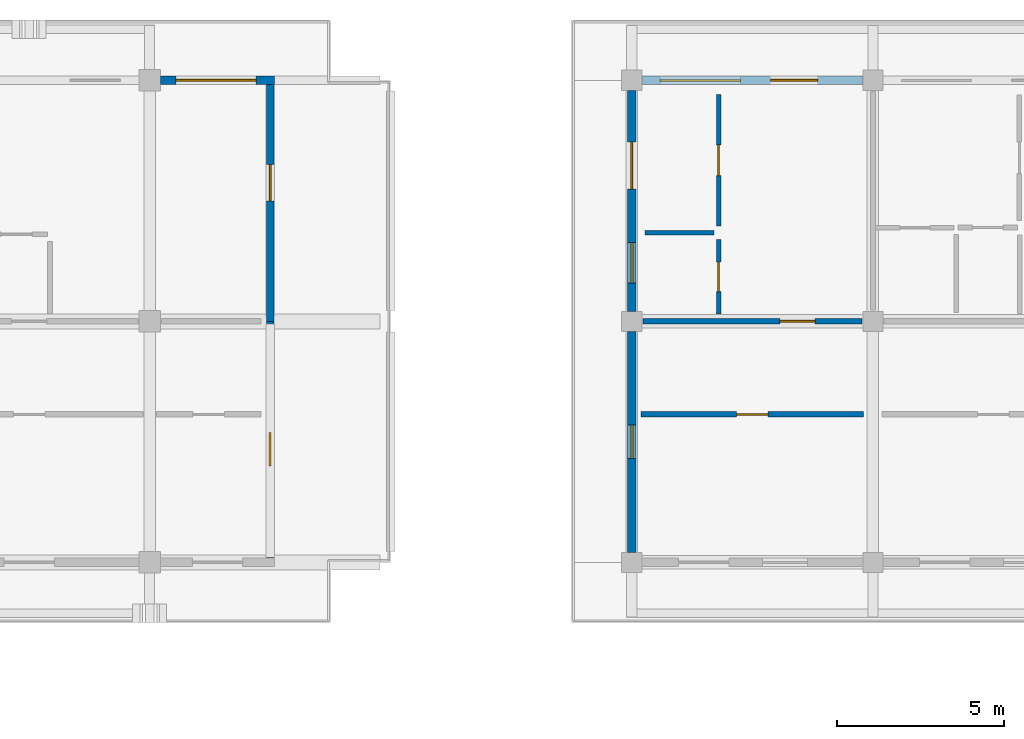
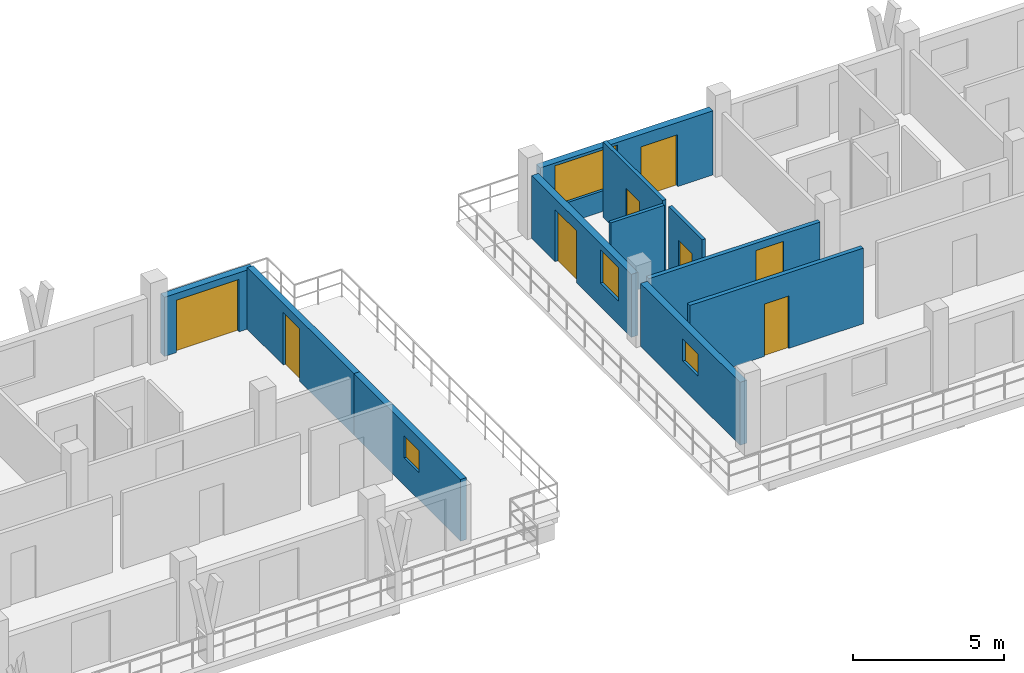
# One storey, part 48 of 75: 11 walls, 8 doors, 4 windows, 12 openings.
"""IFC4 building model written with IfcOpenShell, lengths in metres."""

from ifc_helpers import new_model, si_unit, direction, frame, frame_2d, origin, place, context, subcontext, project, spatial, rectangle, extrude, material, layer, layer_set, type_object, element, fill, save


model = new_model("IFC4")

# Units and contexts
model_context = context("Model", 3, precision=1e-05, world=origin(), true_north=direction((0.0, 1.0)))
body_context = subcontext(model_context, "Body", "Model", "MODEL_VIEW")
ifc_project = project(units=[si_unit("LENGTHUNIT", "METRE"), si_unit("AREAUNIT", "SQUARE_METRE"), si_unit("VOLUMEUNIT", "CUBIC_METRE"), si_unit("PLANEANGLEUNIT", "RADIAN"), si_unit("MASSUNIT", "GRAM", prefix="KILO")], contexts=[model_context])

# Site, building, storey
site_placement = place(None, origin())
site = spatial("IfcSite", under=ifc_project, at=site_placement, CompositionType="ELEMENT")
building_placement = place(site_placement, origin())
building = spatial("IfcBuilding", under=site, at=building_placement, Name="Suanplinth Sawtooth Commons", CompositionType="ELEMENT")
storey_placement = place(building_placement, frame((0.0, 0.0, 18.60009765625)))
storey = spatial("IfcBuildingStorey", under=building, at=storey_placement, Name="L05", CompositionType="ELEMENT", Elevation=18.60009765625)

# Wall, opening, door
ifc_material_1 = material(Name="Precast concrete C40/50", Category="concrete")
ifc_layer_1 = layer(ifc_material_1, 0.260009765625, Name="Insulated precast courtyard facade wall 260mm")
ifc_layer_set_1 = layer_set([ifc_layer_1], Name="Precast concrete C40/50")
wall_type_1 = type_object("IfcWallType", Name="W-EX02", PredefinedType="ELEMENTEDWALL", material=ifc_layer_set_1)
wall_1_placement = place(storey_placement, frame((108.324951171875, 122.39990234375, 0.0), z_axis=(0.0, 0.0, 1.0), x_axis=(1.0, 0.0, 0.0)))
wall_1 = element("IfcWall", 1, at=wall_1_placement, inside=storey, type_object=wall_type_1, Name="Facade Wall W-L05-A-N-15", PredefinedType="ELEMENTEDWALL", context=body_context, shape_type="SweptSolid", body=[
    extrude(rectangle(XDim=3.405029296875, YDim=0.260009765625, at=frame_2d((1.70263671875, 0.0))), origin(), (0.0, 0.0, 1.0), 2.39501953125),
])
opening_1_placement = place(wall_1_placement, frame((0.455078125, 0.0, 0.0)))
opening_1 = element("IfcOpeningElement", 2, at=opening_1_placement, cuts=wall_1, Name="Opening ED0417", PredefinedType="OPENING", context=body_context, shape_type="SweptSolid", body=[
    extrude(rectangle(XDim=2.39990234375, YDim=2.1201171875, at=frame_2d((1.199951171875, 1.06005859375))), frame((0.0, 0.14501953125, 0.0), z_axis=(0.0, -1.0, 0.0), x_axis=(1.0, 0.0, 0.0)), (0.0, 0.0, 1.0), 0.289794921875),
])
ifc_material_2 = material(Name="Anodized aluminium and low-E glass", Category="aluminium")
door_type_1 = type_object("IfcDoorType", Name="SD-04", OperationType="DOUBLE_DOOR_SLIDING", PredefinedType="DOOR", material=ifc_material_2)
door_1_placement = place(opening_1_placement, frame((2.39990234375, 0.0, 0.0), z_axis=(0.0, 0.0, 1.0), x_axis=(-1.0, 0.0, 0.0)))
door_1 = element("IfcDoor", 3, at=door_1_placement, inside=storey, type_object=door_type_1, Name="Balcony Sliding Door L05-A-N-15", OperationType="DOUBLE_DOOR_SLIDING", OverallHeight=2.1201171875, OverallWidth=2.39990234375, PredefinedType="DOOR", context=body_context, shape_type="SweptSolid", body=[
    extrude(rectangle(XDim=2.39990234375, YDim=2.1201171875, at=frame_2d((1.199951171875, 1.06005859375))), frame((0.0, 0.02490234375, 0.0), z_axis=(0.0, -1.0, 0.0), x_axis=(1.0, 0.0, 0.0)), (0.0, 0.0, 1.0), 0.050048828125),
])
fill(opening_1, door_1)

# Wall, opening, window
wall_2_placement = place(storey_placement, frame((122.39990234375, 108.300048828125, 0.0), z_axis=(0.0, 0.0, 1.0), x_axis=(0.0, 1.0, 0.0)))
wall_2 = element("IfcWall", 4, at=wall_2_placement, inside=storey, type_object=wall_type_1, Name="Facade Wall W-L05-B-W-17-15", PredefinedType="ELEMENTEDWALL", context=body_context, shape_type="SweptSolid", body=[
    extrude(rectangle(XDim=6.599853515625, YDim=0.260009765625, at=frame_2d((3.2998046875, 0.0))), origin(), (0.0, 0.0, 1.0), 2.544921875),
])
opening_2_placement = place(wall_2_placement, frame((2.800048828125, 0.0, 1.10009765625)))
opening_2 = element("IfcOpeningElement", 5, at=opening_2_placement, cuts=wall_2, Name="Opening W0510", PredefinedType="OPENING", context=body_context, shape_type="SweptSolid", body=[
    extrude(rectangle(XDim=1.0, YDim=0.89990234375, at=frame_2d((0.5, 0.449951171875))), frame((0.0, 0.14501953125, 0.0), z_axis=(0.0, -1.0, 0.0), x_axis=(1.0, 0.0, 0.0)), (0.0, 0.0, 1.0), 0.289794921875),
])
ifc_material_3 = material(Name="Thermally broken aluminium and low-E double glazing", Category="aluminium")
window_type_1 = type_object("IfcWindowType", Name="WN-12", PartitioningType="SINGLE_PANEL", PredefinedType="WINDOW", material=ifc_material_3)
window_1_placement = place(opening_2_placement, origin())
window_1 = element("IfcWindow", 6, at=window_1_placement, inside=storey, type_object=window_type_1, Name="End Window L05-B-W-17-15", OverallHeight=0.89990234375, OverallWidth=1.0, PartitioningType="SINGLE_PANEL", PredefinedType="WINDOW", context=body_context, shape_type="SweptSolid", body=[
    extrude(rectangle(XDim=1.0, YDim=0.89990234375, at=frame_2d((0.5, 0.449951171875))), frame((0.0, 0.030029296875, 0.0), z_axis=(0.0, -1.0, 0.0), x_axis=(1.0, 0.0, 0.0)), (0.0, 0.0, 1.0), 0.06005859375),
])
fill(opening_2, window_1)

# Wall, openings, door, window
wall_3_placement = place(storey_placement, frame((122.699951171875, 122.39990234375, 0.0), z_axis=(0.0, 0.0, 1.0), x_axis=(1.0, 0.0, 0.0)))
wall_3 = element("IfcWall", 7, at=wall_3_placement, inside=storey, type_object=wall_type_1, Name="Facade Wall W-L05-B-N-17-16", PredefinedType="ELEMENTEDWALL", context=body_context, shape_type="SweptSolid", body=[
    extrude(rectangle(XDim=6.60009765625, YDim=0.260009765625, at=frame_2d((3.300048828125, 0.0))), origin(), (0.0, 0.0, 1.0), 2.594970703125),
])
opening_3_placement = place(wall_3_placement, frame((3.85009765625, 0.0, 0.0)))
opening_3 = element("IfcOpeningElement", 8, at=opening_3_placement, cuts=wall_3, Name="Opening ED0422", PredefinedType="OPENING", context=body_context, shape_type="SweptSolid", body=[
    extrude(rectangle(XDim=1.39990234375, YDim=2.10009765625, at=frame_2d((0.699951171875, 1.050048828125))), frame((0.0, 0.14501953125, 0.0), z_axis=(0.0, -1.0, 0.0), x_axis=(1.0, 0.0, 0.0)), (0.0, 0.0, 1.0), 0.289794921875),
])
opening_4_placement = place(wall_3_placement, frame((0.550048828125, 0.0, 0.8349609375)))
opening_4 = element("IfcOpeningElement", 9, at=opening_4_placement, cuts=wall_3, Name="Opening W0511", PredefinedType="OPENING", context=body_context, shape_type="SweptSolid", body=[
    extrude(rectangle(XDim=2.39990234375, YDim=1.64990234375, at=frame_2d((1.199951171875, 0.824951171875))), frame((0.0, 0.14501953125, 0.0), z_axis=(0.0, -1.0, 0.0), x_axis=(1.0, 0.0, 0.0)), (0.0, 0.0, 1.0), 0.289794921875),
])
door_type_2 = type_object("IfcDoorType", Name="SD-07", OperationType="SLIDING_TO_RIGHT", PredefinedType="DOOR", material=ifc_material_2)
door_2_placement = place(opening_3_placement, frame((1.39990234375, 0.0, 0.0), z_axis=(0.0, 0.0, 1.0), x_axis=(-1.0, 0.0, 0.0)))
door_2 = element("IfcDoor", 10, at=door_2_placement, inside=storey, type_object=door_type_2, Name="Balcony Sliding Door L05-B-17", OperationType="SLIDING_TO_RIGHT", OverallHeight=2.10009765625, OverallWidth=1.39990234375, PredefinedType="DOOR", context=body_context, shape_type="SweptSolid", body=[
    extrude(rectangle(XDim=1.39990234375, YDim=2.10009765625, at=frame_2d((0.699951171875, 1.050048828125))), frame((0.0, 0.02490234375, 0.0), z_axis=(0.0, -1.0, 0.0), x_axis=(1.0, 0.0, 0.0)), (0.0, 0.0, 1.0), 0.050048828125),
])
fill(opening_3, door_2)
window_type_2 = type_object("IfcWindowType", Name="WN-05", PartitioningType="TRIPLE_PANEL_VERTICAL", PredefinedType="WINDOW", material=ifc_material_3)
window_2_placement = place(opening_4_placement, origin())
window_2 = element("IfcWindow", 11, at=window_2_placement, inside=storey, type_object=window_type_2, Name="Apartment Window L05-B-17", OverallHeight=1.64990234375, OverallWidth=2.39990234375, PartitioningType="TRIPLE_PANEL_VERTICAL", PredefinedType="WINDOW", context=body_context, shape_type="SweptSolid", body=[
    extrude(rectangle(XDim=2.39990234375, YDim=1.64990234375, at=frame_2d((1.199951171875, 0.824951171875))), frame((0.0, 0.030029296875, 0.0), z_axis=(0.0, -1.0, 0.0), x_axis=(1.0, 0.0, 0.0)), (0.0, 0.0, 1.0), 0.06005859375),
])
fill(opening_4, window_2)

wall_4_placement = place(storey_placement, frame((122.39990234375, 115.5, 0.0), z_axis=(0.0, 0.0, 1.0), x_axis=(0.0, 1.0, 0.0)))
wall_4 = element("IfcWall", 12, at=wall_4_placement, inside=storey, type_object=wall_type_1, Name="Facade Wall W-L05-B-W-17-16", PredefinedType="ELEMENTEDWALL", context=body_context, shape_type="SweptSolid", body=[
    extrude(rectangle(XDim=6.60009765625, YDim=0.260009765625, at=frame_2d((3.300048828125, 0.0))), origin(), (0.0, 0.0, 1.0), 2.544921875),
])
opening_5_placement = place(wall_4_placement, frame((3.64990234375, 0.0, 0.0)))
opening_5 = element("IfcOpeningElement", 13, at=opening_5_placement, cuts=wall_4, Name="Opening ED0423", PredefinedType="OPENING", context=body_context, shape_type="SweptSolid", body=[
    extrude(rectangle(XDim=1.39990234375, YDim=2.10009765625, at=frame_2d((0.699951171875, 1.050048828125))), frame((0.0, 0.14501953125, 0.0), z_axis=(0.0, -1.0, 0.0), x_axis=(1.0, 0.0, 0.0)), (0.0, 0.0, 1.0), 0.289794921875),
])
opening_6_placement = place(wall_4_placement, frame((0.85009765625, 0.0, 0.949951171875)))
opening_6 = element("IfcOpeningElement", 14, at=opening_6_placement, cuts=wall_4, Name="Opening W0512", PredefinedType="OPENING", context=body_context, shape_type="SweptSolid", body=[
    extrude(rectangle(XDim=1.199951171875, YDim=1.35009765625, at=frame_2d((0.60009765625, 0.675048828125))), frame((0.0, 0.14501953125, 0.0), z_axis=(0.0, -1.0, 0.0), x_axis=(1.0, 0.0, 0.0)), (0.0, 0.0, 1.0), 0.289794921875),
])
door_3_placement = place(opening_5_placement, frame((1.39990234375, 0.0, 0.0), z_axis=(0.0, 0.0, 1.0), x_axis=(-1.0, 0.0, 0.0)))
door_3 = element("IfcDoor", 15, at=door_3_placement, inside=storey, type_object=door_type_2, Name="End Balcony Sliding Door L05-B-W-17-16", OperationType="SLIDING_TO_RIGHT", OverallHeight=2.10009765625, OverallWidth=1.39990234375, PredefinedType="DOOR", context=body_context, shape_type="SweptSolid", body=[
    extrude(rectangle(XDim=1.39990234375, YDim=2.10009765625, at=frame_2d((0.699951171875, 1.050048828125))), frame((0.0, 0.02490234375, 0.0), z_axis=(0.0, -1.0, 0.0), x_axis=(1.0, 0.0, 0.0)), (0.0, 0.0, 1.0), 0.050048828125),
])
fill(opening_5, door_3)
window_type_3 = type_object("IfcWindowType", Name="WN-03", PartitioningType="SINGLE_PANEL", PredefinedType="WINDOW", material=ifc_material_3)
window_3_placement = place(opening_6_placement, origin())
window_3 = element("IfcWindow", 16, at=window_3_placement, inside=storey, type_object=window_type_3, Name="End Bedroom Window L05-B-17-16", OverallHeight=1.35009765625, OverallWidth=1.199951171875, PartitioningType="SINGLE_PANEL", PredefinedType="WINDOW", context=body_context, shape_type="SweptSolid", body=[
    extrude(rectangle(XDim=1.199951171875, YDim=1.35009765625, at=frame_2d((0.60009765625, 0.675048828125))), frame((0.0, 0.030029296875, 0.0), z_axis=(0.0, -1.0, 0.0), x_axis=(1.0, 0.0, 0.0)), (0.0, 0.0, 1.0), 0.06005859375),
])
fill(opening_6, window_3)

# Wall, opening, window
ifc_layer_2 = layer(ifc_material_1, 0.22998046875, Name="Stepped terrace insulated precast wall 230mm")
ifc_layer_set_2 = layer_set([ifc_layer_2], Name="Precast concrete C40/50")
wall_type_2 = type_object("IfcWallType", Name="W-EX06", PredefinedType="ELEMENTEDWALL", material=ifc_layer_set_2)
wall_5_placement = place(storey_placement, frame((111.60009765625, 108.1298828125, 0.0), z_axis=(0.0, 0.0, 1.0), x_axis=(0.0, 1.0, 0.0)))
wall_5 = element("IfcWall", 17, at=wall_5_placement, inside=storey, type_object=wall_type_2, Name="End Wall W-L05-A-E-15", PredefinedType="ELEMENTEDWALL", context=body_context, shape_type="SweptSolid", body=[
    extrude(rectangle(XDim=7.070068359375, YDim=0.22998046875, at=frame_2d((3.53515625, 0.0))), origin(), (0.0, 0.0, 1.0), 2.494873046875),
])
opening_7_placement = place(wall_5_placement, frame((2.75, 0.0, 1.10009765625)))
opening_7 = element("IfcOpeningElement", 18, at=opening_7_placement, cuts=wall_5, Name="Opening W0508", PredefinedType="OPENING", context=body_context, shape_type="SweptSolid", body=[
    extrude(rectangle(XDim=1.0, YDim=0.89990234375, at=frame_2d((0.5, 0.449951171875))), frame((0.0, 0.1298828125, 0.0), z_axis=(0.0, -1.0, 0.0), x_axis=(1.0, 0.0, 0.0)), (0.0, 0.0, 1.0), 0.259765625),
])
window_4_placement = place(opening_7_placement, origin())
window_4 = element("IfcWindow", 19, at=window_4_placement, inside=storey, type_object=window_type_1, Name="End Window L05-A-E-15", OverallHeight=0.89990234375, OverallWidth=1.0, PartitioningType="SINGLE_PANEL", PredefinedType="WINDOW", context=body_context, shape_type="SweptSolid", body=[
    extrude(rectangle(XDim=1.0, YDim=0.89990234375, at=frame_2d((0.5, 0.449951171875))), frame((0.0, 0.030029296875, 0.0), z_axis=(0.0, -1.0, 0.0), x_axis=(1.0, 0.0, 0.0)), (0.0, 0.0, 1.0), 0.06005859375),
])
fill(opening_7, window_4)

# Wall, opening, door
wall_6_placement = place(storey_placement, frame((111.60009765625, 115.199951171875, 0.0), z_axis=(0.0, 0.0, 1.0), x_axis=(0.0, 1.0, 0.0)))
wall_6 = element("IfcWall", 20, at=wall_6_placement, inside=storey, type_object=wall_type_2, Name="End Wall W-L05-A-E-16", PredefinedType="ELEMENTEDWALL", context=body_context, shape_type="SweptSolid", body=[
    extrude(rectangle(XDim=7.070068359375, YDim=0.22998046875, at=frame_2d((3.53515625, 0.0))), origin(), (0.0, 0.0, 1.0), 2.494873046875),
])
opening_8_placement = place(wall_6_placement, frame((3.60009765625, 0.0, 0.0)))
opening_8 = element("IfcOpeningElement", 21, at=opening_8_placement, cuts=wall_6, Name="Opening ED0420", PredefinedType="OPENING", context=body_context, shape_type="SweptSolid", body=[
    extrude(rectangle(XDim=1.080078125, YDim=2.1201171875, at=frame_2d((0.5400390625, 1.06005859375))), frame((0.0, 0.1298828125, 0.0), z_axis=(0.0, -1.0, 0.0), x_axis=(1.0, 0.0, 0.0)), (0.0, 0.0, 1.0), 0.259765625),
])
door_type_3 = type_object("IfcDoorType", Name="ED-10", OperationType="NOTDEFINED", PredefinedType="DOOR", material=ifc_material_2)
door_4_placement = place(opening_8_placement, frame((1.080078125, 0.0, 0.0), z_axis=(0.0, 0.0, 1.0), x_axis=(-1.0, 0.0, 0.0)))
door_4 = element("IfcDoor", 22, at=door_4_placement, inside=storey, type_object=door_type_3, Name="L05 Block A E Stepped Terrace Door", OperationType="SINGLE_SWING_LEFT", OverallHeight=2.1201171875, OverallWidth=1.080078125, PredefinedType="DOOR", context=body_context, shape_type="SweptSolid", body=[
    extrude(rectangle(XDim=1.080078125, YDim=2.1201171875, at=frame_2d((0.5400390625, 1.06005859375))), frame((0.0, 0.02490234375, 0.0), z_axis=(0.0, -1.0, 0.0), x_axis=(1.0, 0.0, 0.0)), (0.0, 0.0, 1.0), 0.050048828125),
])
fill(opening_8, door_4)

ifc_layer_3 = layer(ifc_material_1, 0.159912109375, Name="Fire-rated corridor and lobby wall 160mm")
ifc_layer_set_3 = layer_set([ifc_layer_3], Name="Precast concrete C40/50")
wall_type_3 = type_object("IfcWallType", Name="W-FW01", PredefinedType="PARTITIONING", material=ifc_layer_set_3)
wall_7_placement = place(storey_placement, frame((122.72998046875, 115.199951171875, 0.0), z_axis=(0.0, 0.0, 1.0), x_axis=(1.0, 0.0, 0.0)))
wall_7 = element("IfcWall", 23, at=wall_7_placement, inside=storey, type_object=wall_type_3, Name="W-B-L05-U01-COR", PredefinedType="PARTITIONING", context=body_context, shape_type="SweptSolid", body=[
    extrude(rectangle(XDim=6.5400390625, YDim=0.159912109375, at=frame_2d((3.27001953125, 0.0))), origin(), (0.0, 0.0, 1.0), 2.44482421875),
])
opening_9_placement = place(wall_7_placement, frame((4.094970703125, 0.0, 0.0)))
opening_9 = element("IfcOpeningElement", 24, at=opening_9_placement, cuts=wall_7, Name="Opening FD1248", PredefinedType="OPENING", context=body_context, shape_type="SweptSolid", body=[
    extrude(rectangle(XDim=1.050048828125, YDim=2.14990234375, at=frame_2d((0.52490234375, 1.074951171875))), frame((0.0, 0.0947265625, 0.0), z_axis=(0.0, -1.0, 0.0), x_axis=(1.0, 0.0, 0.0)), (0.0, 0.0, 1.0), 0.189697265625),
])
ifc_material_4 = material(Name="Teak hardwood fire-rated door assembly", Category="wood")
door_type_4 = type_object("IfcDoorType", Name="FD-04", OperationType="NOTDEFINED", PredefinedType="DOOR", material=ifc_material_4)
door_5_placement = place(opening_9_placement, origin())
door_5 = element("IfcDoor", 25, at=door_5_placement, inside=storey, type_object=door_type_4, Name="Unit Entrance Door FD1248", OperationType="SINGLE_SWING_RIGHT", OverallHeight=2.14990234375, OverallWidth=1.050048828125, PredefinedType="DOOR", context=body_context, shape_type="SweptSolid", body=[
    extrude(rectangle(XDim=1.050048828125, YDim=2.14990234375, at=frame_2d((0.52490234375, 1.074951171875))), frame((0.0, 0.02490234375, 0.0), z_axis=(0.0, -1.0, 0.0), x_axis=(1.0, 0.0, 0.0)), (0.0, 0.0, 1.0), 0.050048828125),
])
fill(opening_9, door_5)

wall_8_placement = place(storey_placement, frame((122.679931640625, 112.419921875, 0.0), z_axis=(0.0, 0.0, 1.0), x_axis=(1.0, 0.0, 0.0)))
wall_8 = element("IfcWall", 26, at=wall_8_placement, inside=storey, type_object=wall_type_3, Name="W-B-L05-COURTROOM-30-COR", PredefinedType="PARTITIONING", context=body_context, shape_type="SweptSolid", body=[
    extrude(rectangle(XDim=6.64013671875, YDim=0.159912109375, at=frame_2d((3.320068359375, 0.0))), origin(), (0.0, 0.0, 1.0), 3.059814453125),
])
opening_10_placement = place(wall_8_placement, frame((2.85009765625, 0.0, 0.0)))
opening_10 = element("IfcOpeningElement", 27, at=opening_10_placement, cuts=wall_8, Name="Opening D1276", PredefinedType="OPENING", context=body_context, shape_type="SweptSolid", body=[
    extrude(rectangle(XDim=0.93994140625, YDim=2.1201171875, at=frame_2d((0.469970703125, 1.06005859375))), frame((0.0, 0.0947265625, 0.0), z_axis=(0.0, -1.0, 0.0), x_axis=(1.0, 0.0, 0.0)), (0.0, 0.0, 1.0), 0.189697265625),
])
ifc_material_5 = material(Name="Teak hardwood", Category="wood")
door_type_5 = type_object("IfcDoorType", Name="D-15", OperationType="NOTDEFINED", PredefinedType="DOOR", material=ifc_material_5)
door_6_placement = place(opening_10_placement, frame((0.93994140625, 0.0, 0.0), z_axis=(0.0, 0.0, 1.0), x_axis=(-1.0, 0.0, 0.0)))
door_6 = element("IfcDoor", 28, at=door_6_placement, inside=storey, type_object=door_type_5, Name="Study Studio Door D1276", OperationType="SINGLE_SWING_RIGHT", OverallHeight=2.1201171875, OverallWidth=0.93994140625, PredefinedType="DOOR", context=body_context, shape_type="SweptSolid", body=[
    extrude(rectangle(XDim=0.93994140625, YDim=2.1201171875, at=frame_2d((0.469970703125, 1.06005859375))), frame((0.0, 0.02490234375, 0.0), z_axis=(0.0, -1.0, 0.0), x_axis=(1.0, 0.0, 0.0)), (0.0, 0.0, 1.0), 0.050048828125),
])
fill(opening_10, door_6)

ifc_material_6 = material(Name="Gypsum plasterboard on steel stud", Category="steel")
ifc_layer_4 = layer(ifc_material_6, 0.139892578125, Name="Fire-rated kitchen partition 140mm")
ifc_layer_set_4 = layer_set([ifc_layer_4], Name="Gypsum plasterboard on steel stud")
wall_type_4 = type_object("IfcWallType", Name="W-PT01", PredefinedType="PARTITIONING", material=ifc_layer_set_4)
wall_9_placement = place(storey_placement, frame((124.9951171875, 118.0400390625, 0.0), z_axis=(0.0, 0.0, 1.0), x_axis=(0.0, 1.0, 0.0)))
wall_9 = element("IfcWall", 29, at=wall_9_placement, inside=storey, type_object=wall_type_4, Name="W-B-L05-U01-KITE", PredefinedType="PARTITIONING", context=body_context, shape_type="SweptSolid", body=[
    extrude(rectangle(XDim=3.93994140625, YDim=0.139892578125, at=frame_2d((1.969970703125, 0.0))), origin(), (0.0, 0.0, 1.0), 3.059814453125),
])
opening_11_placement = place(wall_9_placement, frame((1.510009765625, 0.0, 0.0)))
opening_11 = element("IfcOpeningElement", 30, at=opening_11_placement, cuts=wall_9, Name="Opening D1250", PredefinedType="OPENING", context=body_context, shape_type="SweptSolid", body=[
    extrude(rectangle(XDim=0.919921875, YDim=2.10009765625, at=frame_2d((0.4599609375, 1.050048828125))), frame((0.0, 0.0849609375, 0.0), z_axis=(0.0, -1.0, 0.0), x_axis=(1.0, 0.0, 0.0)), (0.0, 0.0, 1.0), 0.169677734375),
])
door_type_6 = type_object("IfcDoorType", Name="D-02", OperationType="NOTDEFINED", PredefinedType="DOOR", material=ifc_material_5)
door_7_placement = place(opening_11_placement, origin())
door_7 = element("IfcDoor", 31, at=door_7_placement, inside=storey, type_object=door_type_6, Name="Kitchen Door D1250", OperationType="SINGLE_SWING_RIGHT", OverallHeight=2.10009765625, OverallWidth=0.919921875, PredefinedType="DOOR", context=body_context, shape_type="SweptSolid", body=[
    extrude(rectangle(XDim=0.919921875, YDim=2.10009765625, at=frame_2d((0.4599609375, 1.050048828125))), frame((0.0, 0.02490234375, 0.0), z_axis=(0.0, -1.0, 0.0), x_axis=(1.0, 0.0, 0.0)), (0.0, 0.0, 1.0), 0.050048828125),
])
fill(opening_11, door_7)

# Wall
ifc_layer_5 = layer(ifc_material_6, 0.1298828125, Name="Moisture-resistant bathroom partition 130mm")
ifc_layer_set_5 = layer_set([ifc_layer_5], Name="Gypsum plasterboard on steel stud")
wall_type_5 = type_object("IfcWallType", Name="W-PT02", PredefinedType="PARTITIONING", material=ifc_layer_set_5)
wall_10_placement = place(storey_placement, frame((122.800048828125, 117.840087890625, 0.0), z_axis=(0.0, 0.0, 1.0), x_axis=(1.0, 0.0, 0.0)))
element("IfcWall", 32, at=wall_10_placement, inside=storey, type_object=wall_type_5, Name="W-B-L05-U01-STDIV", PredefinedType="PARTITIONING", context=body_context, shape_type="SweptSolid", body=[
    extrude(rectangle(XDim=2.050048828125, YDim=0.1298828125, at=frame_2d((1.02490234375, 0.0))), origin(), (0.0, 0.0, 1.0), 3.059814453125),
])

# Wall, opening, door
wall_11_placement = place(storey_placement, frame((124.9951171875, 115.419921875, 0.0), z_axis=(0.0, 0.0, 1.0), x_axis=(0.0, 1.0, 0.0)))
wall_11 = element("IfcWall", 33, at=wall_11_placement, inside=storey, type_object=wall_type_5, Name="W-B-L05-U01-BTHE", PredefinedType="PARTITIONING", context=body_context, shape_type="SweptSolid", body=[
    extrude(rectangle(XDim=2.219970703125, YDim=0.1298828125, at=frame_2d((1.10986328125, 0.0))), origin(), (0.0, 0.0, 1.0), 3.059814453125),
])
opening_12_placement = place(wall_11_placement, frame((0.669921875, 0.0, 0.0)))
opening_12 = element("IfcOpeningElement", 34, at=opening_12_placement, cuts=wall_11, Name="Opening D1249", PredefinedType="OPENING", context=body_context, shape_type="SweptSolid", body=[
    extrude(rectangle(XDim=0.8798828125, YDim=2.10009765625, at=frame_2d((0.43994140625, 1.050048828125))), frame((0.0, 0.079833984375, 0.0), z_axis=(0.0, -1.0, 0.0), x_axis=(1.0, 0.0, 0.0)), (0.0, 0.0, 1.0), 0.15966796875),
])
door_type_7 = type_object("IfcDoorType", Name="D-14", OperationType="NOTDEFINED", PredefinedType="DOOR", material=ifc_material_5)
door_8_placement = place(opening_12_placement, origin())
door_8 = element("IfcDoor", 35, at=door_8_placement, inside=storey, type_object=door_type_7, Name="Bathroom Door D1249", OperationType="SINGLE_SWING_LEFT", OverallHeight=2.10009765625, OverallWidth=0.8798828125, PredefinedType="DOOR", context=body_context, shape_type="SweptSolid", body=[
    extrude(rectangle(XDim=0.8798828125, YDim=2.10009765625, at=frame_2d((0.43994140625, 1.050048828125))), frame((0.0, 0.02490234375, 0.0), z_axis=(0.0, -1.0, 0.0), x_axis=(1.0, 0.0, 0.0)), (0.0, 0.0, 1.0), 0.050048828125),
])
fill(opening_12, door_8)

save(model, "model.ifc")
